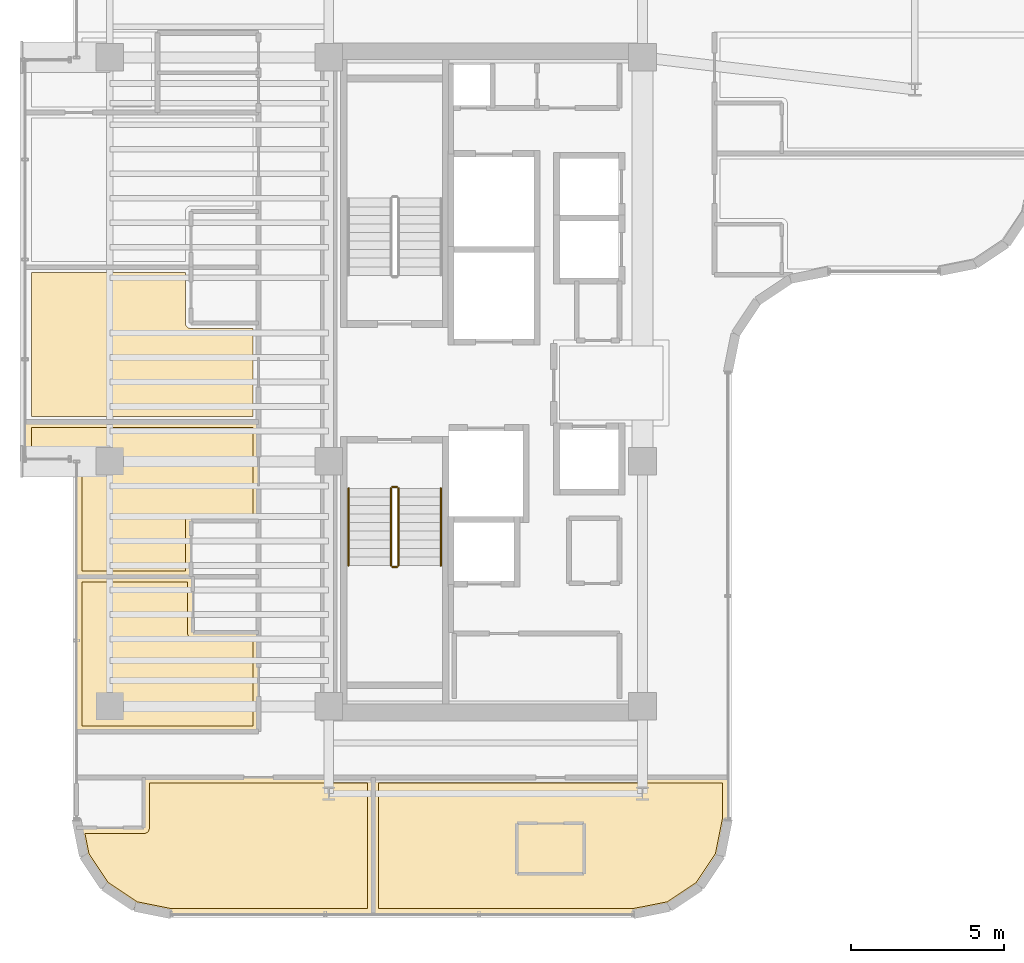
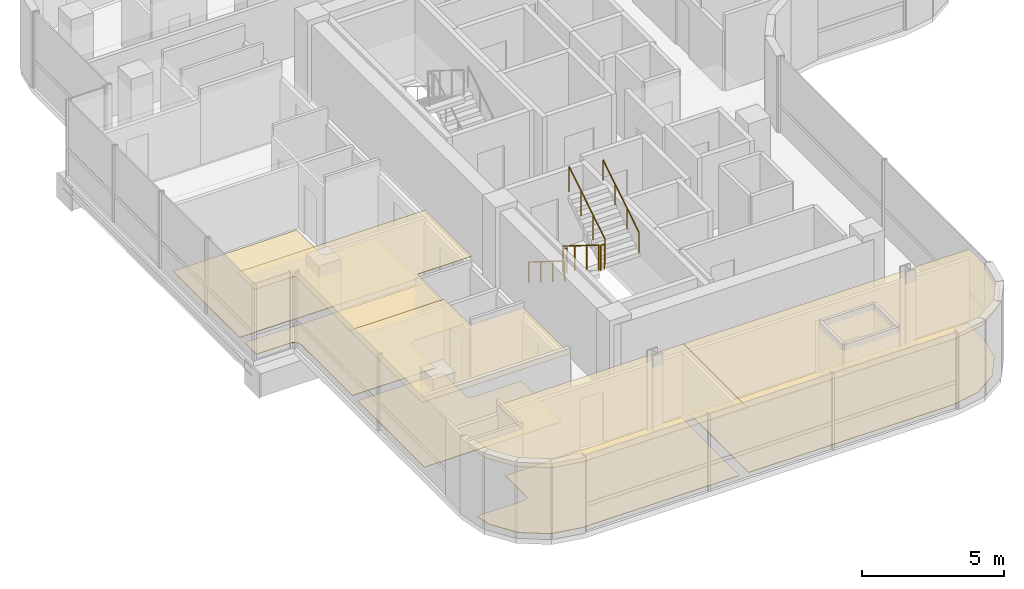
# One storey, part 20 of 22: 9 coverings, 6 railings.
"""IFC4 building model written with IfcOpenShell, lengths in metres."""

from ifc_helpers import new_model, si_unit, direction, frame, origin, origin_2d, place, context, subcontext, project, spatial, polyline, circle, outline, extrude, material, layer, layer_set, type_object, element, save


model = new_model("IFC4")

# Units and contexts
model_context = context("Model", 3, precision=1e-05, world=origin(), true_north=direction((0.0, 1.0)))
body_context = subcontext(model_context, "Body", "Model", "MODEL_VIEW")
ifc_project = project(units=[si_unit("LENGTHUNIT", "METRE"), si_unit("AREAUNIT", "SQUARE_METRE"), si_unit("VOLUMEUNIT", "CUBIC_METRE"), si_unit("PLANEANGLEUNIT", "RADIAN"), si_unit("MASSUNIT", "GRAM", prefix="KILO")], contexts=[model_context])

# Site, building, storey
site_placement = place(None, origin())
site = spatial("IfcSite", under=ifc_project, at=site_placement, CompositionType="ELEMENT")
building_placement = place(site_placement, origin())
building = spatial("IfcBuilding", under=site, at=building_placement, Name="Valdorenza Pilgrim Sanctuary Tower", CompositionType="ELEMENT")
storey_placement = place(building_placement, frame((0.0, 0.0, 212.5)))
storey = spatial("IfcBuildingStorey", under=building, at=storey_placement, Name="L54", CompositionType="ELEMENT", Elevation=212.5)

# Coverings
ifc_material_1 = material(Name="Micro-perforated acoustic mineral ceiling tile", Category="gypsum")
ifc_layer_1 = layer(ifc_material_1, 0.02490234375, Name="Micro-perforated acoustic mineral ceiling tile")
ifc_layer_set_1 = layer_set([ifc_layer_1], Name="Micro-perforated acoustic mineral ceiling tile")
covering_type_1 = type_object("IfcCoveringType", Name="COV-CLG-ACU", PredefinedType="CEILING", material=ifc_layer_set_1)
covering_1_placement = place(storey_placement, frame((0.0, 0.0, 2.9599609375)))
element("IfcCovering", 1, at=covering_1_placement, inside=storey, type_object=covering_type_1, Name="L54 Pilgrim Guest Room L54-W1 Acoustic Ceiling", PredefinedType="CEILING", context=body_context, shape_type="SweptSolid", body=[
    extrude(outline(polyline([(-30.905029296875, -6.364990234375), (-30.90478515625, -6.363525390625), (-30.90478515625, -6.362060546875), (-30.904296875, -6.360595703125), (-30.90380859375, -6.359375), (-30.9033203125, -6.35791015625), (-30.902587890625, -6.356689453125), (-30.901611328125, -6.35546875), (-30.900634765625, -6.3544921875), (-30.8994140625, -6.353515625), (-30.898193359375, -6.3525390625), (-30.897216796875, -6.351806640625), (-30.895751953125, -6.35107421875), (-30.894287109375, -6.3505859375), (-30.892822265625, -6.350341796875), (-30.8916015625, -6.35009765625), (-30.889892578125, -6.35009765625), (-27.090087890625, -6.35009765625), (-27.08837890625, -6.35009765625), (-27.087158203125, -6.350341796875), (-27.085693359375, -6.3505859375), (-27.084228515625, -6.35107421875), (-27.0830078125, -6.351806640625), (-27.081787109375, -6.3525390625), (-27.08056640625, -6.353515625), (-27.079345703125, -6.3544921875), (-27.078369140625, -6.35546875), (-27.077392578125, -6.356689453125), (-27.076904296875, -6.35791015625), (-27.076171875, -6.359375), (-27.07568359375, -6.360595703125), (-27.0751953125, -6.362060546875), (-27.0751953125, -6.363525390625), (-27.074951171875, -6.364990234375), (-27.074951171875, -8.172119140625), (-24.949951171875, -8.172119140625), (-24.948486328125, -8.172119140625), (-24.947021484375, -8.17236328125), (-24.945556640625, -8.172607421875), (-24.9443359375, -8.173095703125), (-24.94287109375, -8.173828125), (-24.941650390625, -8.174560546875), (-24.9404296875, -8.17529296875), (-24.939453125, -8.176513671875), (-24.9384765625, -8.177490234375), (-24.9375, -8.1787109375), (-24.936767578125, -8.179931640625), (-24.93603515625, -8.181396484375), (-24.935546875, -8.1826171875), (-24.935302734375, -8.18408203125), (-24.93505859375, -8.185546875), (-24.93505859375, -8.18701171875), (-24.93505859375, -11.419921875), (-24.93505859375, -11.42138671875), (-24.935302734375, -11.4228515625), (-24.935546875, -11.42431640625), (-24.93603515625, -11.42578125), (-24.936767578125, -11.427001953125), (-24.9375, -11.42822265625), (-24.9384765625, -11.429443359375), (-24.939453125, -11.4306640625), (-24.9404296875, -11.431640625), (-24.941650390625, -11.4326171875), (-24.94287109375, -11.43310546875), (-24.9443359375, -11.433837890625), (-24.945556640625, -11.434326171875), (-24.947021484375, -11.434814453125), (-24.948486328125, -11.434814453125), (-24.949951171875, -11.43505859375), (-30.889892578125, -11.43505859375), (-30.8916015625, -11.434814453125), (-30.892822265625, -11.434814453125), (-30.894287109375, -11.434326171875), (-30.895751953125, -11.433837890625), (-30.897216796875, -11.43310546875), (-30.898193359375, -11.4326171875), (-30.8994140625, -11.431640625), (-30.900634765625, -11.4306640625), (-30.901611328125, -11.429443359375), (-30.902587890625, -11.42822265625), (-30.9033203125, -11.427001953125), (-30.90380859375, -11.42578125), (-30.904296875, -11.42431640625), (-30.90478515625, -11.4228515625), (-30.90478515625, -11.42138671875), (-30.905029296875, -11.419921875), (-30.905029296875, -6.364990234375)])), origin(), (0.0, 0.0, 1.0), 0.025146484375),
])
covering_2_placement = place(storey_placement, frame((0.0, 0.0, 2.9599609375)))
element("IfcCovering", 2, at=covering_2_placement, inside=storey, type_object=covering_type_1, Name="L54 Pilgrim Guest Room L54-W2 Acoustic Ceiling", PredefinedType="CEILING", context=body_context, shape_type="SweptSolid", body=[
    extrude(outline(polyline([(-27.136962890625, -4.55810546875), (-27.136962890625, -6.363037109375), (-27.13720703125, -6.364501953125), (-27.13720703125, -6.365966796875), (-27.1376953125, -6.367431640625), (-27.13818359375, -6.36865234375), (-27.138916015625, -6.3701171875), (-27.139404296875, -6.371337890625), (-27.140380859375, -6.37255859375), (-27.141357421875, -6.37353515625), (-27.142578125, -6.37451171875), (-27.143798828125, -6.37548828125), (-27.14501953125, -6.376220703125), (-27.146240234375, -6.376953125), (-27.147705078125, -6.37744140625), (-27.149169921875, -6.377685546875), (-27.150390625, -6.3779296875), (-27.152099609375, -6.3779296875), (-30.889892578125, -6.3779296875), (-30.8916015625, -6.3779296875), (-30.892822265625, -6.377685546875), (-30.894287109375, -6.37744140625), (-30.895751953125, -6.376953125), (-30.897216796875, -6.376220703125), (-30.898193359375, -6.37548828125), (-30.8994140625, -6.37451171875), (-30.900634765625, -6.37353515625), (-30.901611328125, -6.37255859375), (-30.902587890625, -6.371337890625), (-30.9033203125, -6.3701171875), (-30.90380859375, -6.36865234375), (-30.904296875, -6.367431640625), (-30.90478515625, -6.365966796875), (-30.90478515625, -6.364501953125), (-30.905029296875, -6.363037109375), (-30.905029296875, -2.600341796875), (-30.905517578125, -2.5908203125), (-30.90673828125, -2.58154296875), (-30.9091796875, -2.572509765625), (-30.912109375, -2.563720703125), (-30.916259765625, -2.55517578125), (-30.9208984375, -2.547119140625), (-30.926513671875, -2.539794921875), (-30.932861328125, -2.53271484375), (-30.939697265625, -2.526611328125), (-30.947265625, -2.52099609375), (-30.955078125, -2.51611328125), (-30.963623046875, -2.51220703125), (-30.972412109375, -2.509033203125), (-30.9814453125, -2.5068359375), (-30.99072265625, -2.505615234375), (-31.00048828125, -2.5048828125), (-32.5400390625, -2.5048828125), (-32.54150390625, -2.5048828125), (-32.54296875, -2.504638671875), (-32.54443359375, -2.50439453125), (-32.545654296875, -2.50390625), (-32.547119140625, -2.503173828125), (-32.54833984375, -2.50244140625), (-32.549560546875, -2.501708984375), (-32.550537109375, -2.50048828125), (-32.551513671875, -2.49951171875), (-32.552490234375, -2.498291015625), (-32.55322265625, -2.4970703125), (-32.553955078125, -2.49560546875), (-32.554443359375, -2.494384765625), (-32.5546875, -2.492919921875), (-32.554931640625, -2.491455078125), (-32.554931640625, -2.489990234375), (-32.554931640625, -1.31005859375), (-32.554931640625, -1.30859375), (-32.5546875, -1.30712890625), (-32.554443359375, -1.3056640625), (-32.553955078125, -1.30419921875), (-32.55322265625, -1.302978515625), (-32.552490234375, -1.3017578125), (-32.551513671875, -1.300537109375), (-32.550537109375, -1.29931640625), (-32.549560546875, -1.29833984375), (-32.54833984375, -1.297607421875), (-32.547119140625, -1.296875), (-32.545654296875, -1.296142578125), (-32.54443359375, -1.295654296875), (-32.54296875, -1.29541015625), (-32.54150390625, -1.295166015625), (-32.5400390625, -1.294921875), (-24.949951171875, -1.294921875), (-24.948486328125, -1.295166015625), (-24.947021484375, -1.29541015625), (-24.945556640625, -1.295654296875), (-24.9443359375, -1.296142578125), (-24.94287109375, -1.296875), (-24.941650390625, -1.297607421875), (-24.9404296875, -1.29833984375), (-24.939453125, -1.29931640625), (-24.9384765625, -1.300537109375), (-24.9375, -1.3017578125), (-24.936767578125, -1.302978515625), (-24.93603515625, -1.30419921875), (-24.935546875, -1.3056640625), (-24.935302734375, -1.30712890625), (-24.93505859375, -1.30859375), (-24.93505859375, -1.31005859375), (-24.93505859375, -4.54296875), (-24.93505859375, -4.54443359375), (-24.935302734375, -4.5458984375), (-24.935546875, -4.54736328125), (-24.93603515625, -4.548583984375), (-24.936767578125, -4.550048828125), (-24.9375, -4.55126953125), (-24.9384765625, -4.552490234375), (-24.939453125, -4.5537109375), (-24.9404296875, -4.5546875), (-24.941650390625, -4.555419921875), (-24.94287109375, -4.55615234375), (-24.9443359375, -4.556884765625), (-24.945556640625, -4.557373046875), (-24.947021484375, -4.5576171875), (-24.948486328125, -4.557861328125), (-24.949951171875, -4.55810546875), (-27.136962890625, -4.55810546875)])), origin(), (0.0, 0.0, 1.0), 0.025146484375),
])
covering_3_placement = place(storey_placement, frame((0.0, 0.0, 2.9599609375)))
element("IfcCovering", 3, at=covering_3_placement, inside=storey, type_object=covering_type_1, Name="L54 South Guest Room L54-S1 Acoustic Ceiling", PredefinedType="CEILING", context=body_context, shape_type="SweptSolid", body=[
    extrude(outline(polyline([(-28.702880859375, -14.556884765625), (-28.702880859375, -12.919921875), (-28.702880859375, -12.91845703125), (-28.70263671875, -12.9169921875), (-28.702392578125, -12.91552734375), (-28.701904296875, -12.914306640625), (-28.701171875, -12.912841796875), (-28.700439453125, -12.91162109375), (-28.69970703125, -12.910400390625), (-28.698486328125, -12.909423828125), (-28.697509765625, -12.908447265625), (-28.6962890625, -12.907470703125), (-28.695068359375, -12.90673828125), (-28.693603515625, -12.906005859375), (-28.6923828125, -12.905517578125), (-28.69091796875, -12.9052734375), (-28.689453125, -12.905029296875), (-28.68798828125, -12.905029296875), (-21.199951171875, -12.905029296875), (-21.198486328125, -12.905029296875), (-21.197021484375, -12.9052734375), (-21.195556640625, -12.905517578125), (-21.1943359375, -12.906005859375), (-21.19287109375, -12.90673828125), (-21.191650390625, -12.907470703125), (-21.1904296875, -12.908447265625), (-21.189453125, -12.909423828125), (-21.1884765625, -12.910400390625), (-21.1875, -12.91162109375), (-21.186767578125, -12.912841796875), (-21.18603515625, -12.914306640625), (-21.185546875, -12.91552734375), (-21.185302734375, -12.9169921875), (-21.18505859375, -12.91845703125), (-21.18505859375, -12.919921875), (-21.18505859375, -17.389892578125), (-21.18505859375, -17.3916015625), (-21.185302734375, -17.392822265625), (-21.185546875, -17.394287109375), (-21.18603515625, -17.395751953125), (-21.186767578125, -17.397216796875), (-21.1875, -17.398193359375), (-21.1884765625, -17.3994140625), (-21.189453125, -17.400634765625), (-21.1904296875, -17.401611328125), (-21.191650390625, -17.402587890625), (-21.19287109375, -17.4033203125), (-21.1943359375, -17.40380859375), (-21.195556640625, -17.404296875), (-21.197021484375, -17.40478515625), (-21.198486328125, -17.40478515625), (-21.199951171875, -17.405029296875), (-27.789306640625, -17.405029296875), (-27.79052734375, -17.40478515625), (-27.7919921875, -17.40478515625), (-28.984619140625, -17.16748046875), (-28.986083984375, -17.1669921875), (-28.9873046875, -17.16650390625), (-28.98876953125, -17.166015625), (-28.989990234375, -17.165283203125), (-29.99169921875, -16.495849609375), (-29.992919921875, -16.4951171875), (-29.993896484375, -16.493896484375), (-29.9951171875, -16.492919921875), (-29.995849609375, -16.49169921875), (-30.665283203125, -15.489990234375), (-30.666015625, -15.48876953125), (-30.66650390625, -15.4873046875), (-30.6669921875, -15.486083984375), (-30.66748046875, -15.484619140625), (-30.848388671875, -14.574951171875), (-30.8486328125, -14.573486328125), (-30.8486328125, -14.572021484375), (-30.8486328125, -14.570556640625), (-30.848388671875, -14.569091796875), (-30.84814453125, -14.567626953125), (-30.84765625, -14.56640625), (-30.846923828125, -14.56494140625), (-30.84619140625, -14.563720703125), (-30.84521484375, -14.5625), (-30.84423828125, -14.561279296875), (-30.84326171875, -14.560302734375), (-30.842041015625, -14.5595703125), (-30.8408203125, -14.558837890625), (-30.839599609375, -14.55810546875), (-30.838134765625, -14.5576171875), (-30.836669921875, -14.557373046875), (-30.835205078125, -14.55712890625), (-30.833740234375, -14.556884765625), (-28.702880859375, -14.556884765625)])), origin(), (0.0, 0.0, 1.0), 0.025146484375),
])
covering_4_placement = place(storey_placement, frame((0.0, 0.0, 2.9599609375)))
element("IfcCovering", 4, at=covering_4_placement, inside=storey, type_object=covering_type_1, Name="L54 South Guest Room L54-S2 Acoustic Ceiling", PredefinedType="CEILING", context=body_context, shape_type="SweptSolid", body=[
    extrude(outline(polyline([(-9.610107421875, -12.905029296875), (-9.6083984375, -12.905029296875), (-9.607177734375, -12.9052734375), (-9.605712890625, -12.905517578125), (-9.604248046875, -12.906005859375), (-9.602783203125, -12.90673828125), (-9.601806640625, -12.907470703125), (-9.6005859375, -12.908447265625), (-9.599365234375, -12.909423828125), (-9.598388671875, -12.910400390625), (-9.597412109375, -12.91162109375), (-9.5966796875, -12.912841796875), (-9.59619140625, -12.914306640625), (-9.595703125, -12.91552734375), (-9.59521484375, -12.9169921875), (-9.59521484375, -12.91845703125), (-9.594970703125, -12.919921875), (-9.594970703125, -14.289306640625), (-9.59521484375, -14.29052734375), (-9.59521484375, -14.2919921875), (-9.83251953125, -15.484619140625), (-9.8330078125, -15.486083984375), (-9.83349609375, -15.4873046875), (-9.833984375, -15.48876953125), (-9.834716796875, -15.489990234375), (-10.504150390625, -16.49169921875), (-10.5048828125, -16.492919921875), (-10.506103515625, -16.493896484375), (-10.507080078125, -16.4951171875), (-10.50830078125, -16.495849609375), (-11.510009765625, -17.165283203125), (-11.51123046875, -17.166015625), (-11.5126953125, -17.16650390625), (-11.513916015625, -17.1669921875), (-11.515380859375, -17.16748046875), (-12.7080078125, -17.40478515625), (-12.70947265625, -17.40478515625), (-12.710693359375, -17.405029296875), (-21.197998046875, -17.405029296875), (-21.199462890625, -17.40478515625), (-21.200927734375, -17.40478515625), (-21.202392578125, -17.404296875), (-21.20361328125, -17.40380859375), (-21.205078125, -17.4033203125), (-21.206298828125, -17.402587890625), (-21.20751953125, -17.401611328125), (-21.20849609375, -17.400634765625), (-21.209716796875, -17.3994140625), (-21.21044921875, -17.398193359375), (-21.211181640625, -17.397216796875), (-21.2119140625, -17.395751953125), (-21.21240234375, -17.394287109375), (-21.212646484375, -17.392822265625), (-21.212890625, -17.3916015625), (-21.212890625, -17.389892578125), (-21.212890625, -12.919921875), (-21.212890625, -12.91845703125), (-21.212646484375, -12.9169921875), (-21.21240234375, -12.91552734375), (-21.2119140625, -12.914306640625), (-21.211181640625, -12.912841796875), (-21.21044921875, -12.91162109375), (-21.209716796875, -12.910400390625), (-21.20849609375, -12.909423828125), (-21.20751953125, -12.908447265625), (-21.206298828125, -12.907470703125), (-21.205078125, -12.90673828125), (-21.20361328125, -12.906005859375), (-21.202392578125, -12.905517578125), (-21.200927734375, -12.9052734375), (-21.199462890625, -12.905029296875), (-21.197998046875, -12.905029296875), (-9.610107421875, -12.905029296875)])), origin(), (0.0, 0.0, 1.0), 0.025146484375),
])
ifc_material_2 = material(Name="Engineered European oak timber flooring", Category="wood")
ifc_layer_2 = layer(ifc_material_2, 0.02197265625, Name="Engineered European oak timber flooring")
ifc_layer_set_2 = layer_set([ifc_layer_2], Name="Engineered European oak timber flooring")
covering_type_2 = type_object("IfcCoveringType", Name="COV-FLR-OAK", PredefinedType="FLOORING", material=ifc_layer_set_2)
covering_5_placement = place(storey_placement, origin())
element("IfcCovering", 5, at=covering_5_placement, inside=storey, type_object=covering_type_2, Name="L54 Pilgrim Guest Room L54-W1 Flooring", PredefinedType="FLOORING", context=body_context, shape_type="SweptSolid", body=[
    extrude(outline(polyline([(-30.7099609375, -6.544921875), (-27.27001953125, -6.544921875), (-27.27001953125, -8.18505859375), (-27.269775390625, -8.19384765625), (-27.269775390625, -8.194091796875), (-27.26806640625, -8.211669921875), (-27.26806640625, -8.2119140625), (-27.2646484375, -8.22900390625), (-27.264404296875, -8.229248046875), (-27.259521484375, -8.24609375), (-27.25927734375, -8.246337890625), (-27.252685546875, -8.2626953125), (-27.25244140625, -8.262939453125), (-27.244140625, -8.278564453125), (-27.244140625, -8.278564453125), (-27.234130859375, -8.293212890625), (-27.234130859375, -8.29345703125), (-27.222900390625, -8.30712890625), (-27.222900390625, -8.307373046875), (-27.210205078125, -8.31982421875), (-27.210205078125, -8.31982421875), (-27.196533203125, -8.3310546875), (-27.1962890625, -8.331298828125), (-27.181640625, -8.341064453125), (-27.181396484375, -8.34130859375), (-27.166015625, -8.349609375), (-27.165771484375, -8.349609375), (-27.1494140625, -8.356201171875), (-27.149169921875, -8.3564453125), (-27.13232421875, -8.361572265625), (-27.132080078125, -8.361572265625), (-27.11474609375, -8.364990234375), (-27.114501953125, -8.364990234375), (-27.096923828125, -8.36669921875), (-27.0966796875, -8.36669921875), (-27.087890625, -8.366943359375), (-25.1298828125, -8.366943359375), (-25.1298828125, -11.239990234375), (-30.7099609375, -11.239990234375), (-30.7099609375, -6.544921875)])), origin(), (0.0, 0.0, 1.0), 0.02490234375),
])
covering_6_placement = place(storey_placement, origin())
element("IfcCovering", 6, at=covering_6_placement, inside=storey, type_object=covering_type_2, Name="L54 Pilgrim Guest Room L54-W2 Flooring", PredefinedType="FLOORING", context=body_context, shape_type="SweptSolid", body=[
    extrude(outline(polyline([(-25.1298828125, -1.489990234375), (-25.1298828125, -4.363037109375), (-27.14990234375, -4.363037109375), (-27.15869140625, -4.36328125), (-27.158935546875, -4.36328125), (-27.176513671875, -4.364990234375), (-27.1767578125, -4.364990234375), (-27.194091796875, -4.368408203125), (-27.1943359375, -4.368408203125), (-27.211181640625, -4.37353515625), (-27.21142578125, -4.373779296875), (-27.227783203125, -4.38037109375), (-27.227783203125, -4.380615234375), (-27.243408203125, -4.388916015625), (-27.24365234375, -4.388916015625), (-27.25830078125, -4.398681640625), (-27.258544921875, -4.39892578125), (-27.272216796875, -4.41015625), (-27.272216796875, -4.41015625), (-27.284912109375, -4.422607421875), (-27.284912109375, -4.4228515625), (-27.296142578125, -4.4365234375), (-27.296142578125, -4.436767578125), (-27.30615234375, -4.451416015625), (-27.30615234375, -4.451416015625), (-27.314453125, -4.467041015625), (-27.314697265625, -4.46728515625), (-27.3212890625, -4.483642578125), (-27.3212890625, -4.48388671875), (-27.326416015625, -4.500732421875), (-27.32666015625, -4.5009765625), (-27.330078125, -4.518310546875), (-27.330078125, -4.518310546875), (-27.331787109375, -4.535888671875), (-27.331787109375, -4.5361328125), (-27.33203125, -4.544921875), (-27.33203125, -6.18310546875), (-30.7099609375, -6.18310546875), (-30.7099609375, -2.60009765625), (-30.710205078125, -2.59130859375), (-30.710693359375, -2.580322265625), (-30.71240234375, -2.562744140625), (-30.714111328125, -2.552001953125), (-30.717529296875, -2.534912109375), (-30.72021484375, -2.5244140625), (-30.725341796875, -2.50732421875), (-30.72900390625, -2.497314453125), (-30.735595703125, -2.48095703125), (-30.740234375, -2.47119140625), (-30.74853515625, -2.45556640625), (-30.754150390625, -2.4462890625), (-30.763916015625, -2.431640625), (-30.7705078125, -2.423095703125), (-30.781494140625, -2.4091796875), (-30.788818359375, -2.4013671875), (-30.80126953125, -2.388916015625), (-30.809326171875, -2.381591796875), (-30.822998046875, -2.370361328125), (-30.831787109375, -2.364013671875), (-30.84619140625, -2.35400390625), (-30.855712890625, -2.3486328125), (-30.87109375, -2.34033203125), (-30.880859375, -2.335693359375), (-30.897216796875, -2.328857421875), (-30.907470703125, -2.3251953125), (-30.92431640625, -2.320068359375), (-30.934814453125, -2.3173828125), (-30.9521484375, -2.314208984375), (-30.962890625, -2.3125), (-30.98046875, -2.310791015625), (-30.9912109375, -2.310302734375), (-31.0, -2.31005859375), (-32.360107421875, -2.31005859375), (-32.360107421875, -1.489990234375), (-25.1298828125, -1.489990234375)])), origin(), (0.0, 0.0, 1.0), 0.02490234375),
])
covering_7_placement = place(storey_placement, origin())
element("IfcCovering", 7, at=covering_7_placement, inside=storey, type_object=covering_type_2, Name="L54 Pilgrim Guest Room L54-W3 Flooring", PredefinedType="FLOORING", context=body_context, shape_type="SweptSolid", body=[
    extrude(outline(polyline([(-32.360107421875, 3.56494140625), (-27.33203125, 3.56494140625), (-27.33203125, 1.925048828125), (-27.331787109375, 1.916259765625), (-27.331787109375, 1.916015625), (-27.330078125, 1.8984375), (-27.330078125, 1.898193359375), (-27.32666015625, 1.880859375), (-27.326416015625, 1.880615234375), (-27.3212890625, 1.86376953125), (-27.3212890625, 1.863525390625), (-27.314697265625, 1.847412109375), (-27.314453125, 1.84716796875), (-27.30615234375, 1.83154296875), (-27.30615234375, 1.831298828125), (-27.296142578125, 1.816650390625), (-27.296142578125, 1.81640625), (-27.284912109375, 1.802978515625), (-27.284912109375, 1.802734375), (-27.272216796875, 1.790283203125), (-27.272216796875, 1.7900390625), (-27.258544921875, 1.77880859375), (-27.25830078125, 1.77880859375), (-27.24365234375, 1.768798828125), (-27.243408203125, 1.768798828125), (-27.227783203125, 1.760498046875), (-27.227783203125, 1.760498046875), (-27.21142578125, 1.753662109375), (-27.211181640625, 1.753662109375), (-27.1943359375, 1.74853515625), (-27.194091796875, 1.748291015625), (-27.1767578125, 1.7451171875), (-27.176513671875, 1.7451171875), (-27.158935546875, 1.7431640625), (-27.15869140625, 1.7431640625), (-27.14990234375, 1.742919921875), (-25.1298828125, 1.742919921875), (-25.1298828125, -1.1279296875), (-32.360107421875, -1.1279296875), (-32.360107421875, 3.56494140625)])), origin(), (0.0, 0.0, 1.0), 0.02490234375),
])
covering_8_placement = place(storey_placement, origin())
element("IfcCovering", 8, at=covering_8_placement, inside=storey, type_object=covering_type_2, Name="L54 South Guest Room L54-S1 Flooring", PredefinedType="FLOORING", context=body_context, shape_type="SweptSolid", body=[
    extrude(outline(polyline([(-27.771484375, -17.2099609375), (-28.911376953125, -16.983154296875), (-29.853515625, -16.353515625), (-30.483154296875, -15.411376953125), (-30.614501953125, -14.751953125), (-28.68994140625, -14.751953125), (-28.68115234375, -14.751708984375), (-28.680908203125, -14.751708984375), (-28.663330078125, -14.75), (-28.6630859375, -14.75), (-28.64599609375, -14.74658203125), (-28.645751953125, -14.74658203125), (-28.62890625, -14.741455078125), (-28.628662109375, -14.7412109375), (-28.6123046875, -14.734619140625), (-28.612060546875, -14.734619140625), (-28.596435546875, -14.726318359375), (-28.596435546875, -14.72607421875), (-28.581787109375, -14.71630859375), (-28.58154296875, -14.716064453125), (-28.56787109375, -14.704833984375), (-28.567626953125, -14.704833984375), (-28.55517578125, -14.6923828125), (-28.55517578125, -14.692138671875), (-28.5439453125, -14.678466796875), (-28.543701171875, -14.67822265625), (-28.533935546875, -14.66357421875), (-28.53369140625, -14.66357421875), (-28.525390625, -14.64794921875), (-28.525390625, -14.647705078125), (-28.518798828125, -14.63134765625), (-28.5185546875, -14.631103515625), (-28.513427734375, -14.6142578125), (-28.513427734375, -14.614013671875), (-28.510009765625, -14.5966796875), (-28.510009765625, -14.5966796875), (-28.50830078125, -14.5791015625), (-28.50830078125, -14.578857421875), (-28.508056640625, -14.570068359375), (-28.508056640625, -13.10009765625), (-21.3798828125, -13.10009765625), (-21.3798828125, -17.2099609375), (-27.771484375, -17.2099609375)])), origin(), (0.0, 0.0, 1.0), 0.02490234375),
])
covering_9_placement = place(storey_placement, origin())
element("IfcCovering", 9, at=covering_9_placement, inside=storey, type_object=covering_type_2, Name="L54 South Guest Room L54-S2 Flooring", PredefinedType="FLOORING", context=body_context, shape_type="SweptSolid", body=[
    extrude(outline(polyline([(-9.7900390625, -13.10009765625), (-9.7900390625, -14.271484375), (-10.016845703125, -15.411376953125), (-10.646484375, -16.353515625), (-11.588623046875, -16.983154296875), (-12.728515625, -17.2099609375), (-21.01806640625, -17.2099609375), (-21.01806640625, -13.10009765625), (-9.7900390625, -13.10009765625)])), origin(), (0.0, 0.0, 1.0), 0.02490234375),
])

# Railings
ifc_material_3 = material(Name="Stainless steel Grade 316", Category="steel")
railing_type_1 = type_object("IfcRailingType", Name="RLG-GRD-1120", PredefinedType="GUARDRAIL", material=ifc_material_3)
railing_1_placement = place(storey_placement, frame((-20.6201171875, -3.47998046875, 0.175048828125)))
element("IfcRailing", 10, at=railing_1_placement, inside=storey, type_object=railing_type_1, Name="L54 ST-A2 stair guard 1", PredefinedType="GUARDRAIL", context=body_context, shape_type="SweptSolid", body=[
    extrude(circle(Radius=0.02392578125, at=origin_2d()), frame((0.0, 0.0, 1.076171875), z_axis=(0.0, -0.848007534815, 0.529984170421), x_axis=(1.0, 0.0, 0.0)), (0.0, 0.0, 1.0), 2.9716796875),
    extrude(circle(Radius=0.02099609375, at=origin_2d()), origin(), (0.0, 0.0, 1.0), 1.052001953125),
    extrude(circle(Radius=0.02099609375, at=origin_2d()), frame((0.0, -0.840087890625, 0.52490234375)), (0.0, 0.0, 1.0), 1.052001953125),
    extrude(circle(Radius=0.02099609375, at=origin_2d()), frame((0.0, -1.679931640625, 1.050048828125)), (0.0, 0.0, 1.0), 1.052001953125),
    extrude(circle(Radius=0.02099609375, at=origin_2d()), frame((0.0, -2.52001953125, 1.574951171875)), (0.0, 0.0, 1.0), 1.052001953125),
])
railing_2_placement = place(storey_placement, frame((-20.570068359375, -6.050048828125, 1.75)))
element("IfcRailing", 11, at=railing_2_placement, inside=storey, type_object=railing_type_1, Name="L54 ST-A2 stair guard 2", PredefinedType="GUARDRAIL", context=body_context, shape_type="SweptSolid", body=[
    extrude(circle(Radius=0.02392578125, at=origin_2d()), frame((0.0, 0.0, 1.076171875), z_axis=(1.0, 0.0, 0.0), x_axis=(0.0, 1.0, 0.0)), (0.0, 0.0, 1.0), 0.150146484375),
    extrude(circle(Radius=0.02099609375, at=origin_2d()), origin(), (0.0, 0.0, 1.0), 1.052001953125),
    extrude(circle(Radius=0.02099609375, at=origin_2d()), frame((0.150146484375, 0.0, 0.0)), (0.0, 0.0, 1.0), 1.052001953125),
])
railing_3_placement = place(storey_placement, frame((-20.3701171875, -6.0, 1.925048828125)))
element("IfcRailing", 12, at=railing_3_placement, inside=storey, type_object=railing_type_1, Name="L54 ST-A2 stair guard 3", PredefinedType="GUARDRAIL", context=body_context, shape_type="SweptSolid", body=[
    extrude(circle(Radius=0.02392578125, at=origin_2d()), frame((0.0, 0.0, 1.076171875), z_axis=(0.0, 0.848007534815, 0.529984170421), x_axis=(-1.0, 0.0, 0.0)), (0.0, 0.0, 1.0), 2.9716796875),
    extrude(circle(Radius=0.02099609375, at=origin_2d()), origin(), (0.0, 0.0, 1.0), 1.052001953125),
    extrude(circle(Radius=0.02099609375, at=origin_2d()), frame((0.0, 0.840087890625, 0.52490234375)), (0.0, 0.0, 1.0), 1.052001953125),
    extrude(circle(Radius=0.02099609375, at=origin_2d()), frame((0.0, 1.679931640625, 1.050048828125)), (0.0, 0.0, 1.0), 1.052001953125),
    extrude(circle(Radius=0.02099609375, at=origin_2d()), frame((0.0, 2.52001953125, 1.574951171875)), (0.0, 0.0, 1.0), 1.052001953125),
])
railing_4_placement = place(storey_placement, frame((-20.570068359375, -3.429931640625, 0.0)))
element("IfcRailing", 13, at=railing_4_placement, inside=storey, type_object=railing_type_1, Name="L54 ST-A2 stair guard 4", PredefinedType="GUARDRAIL", context=body_context, shape_type="SweptSolid", body=[
    extrude(circle(Radius=0.02392578125, at=origin_2d()), frame((0.0, 0.0, 1.076171875), z_axis=(1.0, 0.0, 0.0), x_axis=(0.0, 1.0, 0.0)), (0.0, 0.0, 1.0), 0.150146484375),
    extrude(circle(Radius=0.02099609375, at=origin_2d()), origin(), (0.0, 0.0, 1.0), 1.052001953125),
    extrude(circle(Radius=0.02099609375, at=origin_2d()), frame((0.150146484375, 0.0, 0.0)), (0.0, 0.0, 1.0), 1.052001953125),
])
ifc_material_4 = material(Name="Brushed stainless steel Grade 316", Category="steel")
railing_type_2 = type_object("IfcRailingType", Name="RLG-HND-920", PredefinedType="HANDRAIL", material=ifc_material_4)
railing_5_placement = place(storey_placement, frame((-22.0, -3.47998046875, 0.175048828125)))
element("IfcRailing", 14, at=railing_5_placement, inside=storey, type_object=railing_type_2, Name="L54 ST-A2 stair handrail 1", PredefinedType="HANDRAIL", context=body_context, shape_type="SweptSolid", body=[
    extrude(circle(Radius=0.02392578125, at=origin_2d()), frame((0.0, 0.0, 0.8759765625), z_axis=(0.0, -0.848007534815, 0.529984170421), x_axis=(1.0, 0.0, 0.0)), (0.0, 0.0, 1.0), 2.9716796875),
    extrude(circle(Radius=0.02099609375, at=origin_2d()), origin(), (0.0, 0.0, 1.0), 0.851806640625),
    extrude(circle(Radius=0.02099609375, at=origin_2d()), frame((0.0, -0.840087890625, 0.52490234375)), (0.0, 0.0, 1.0), 0.851806640625),
    extrude(circle(Radius=0.02099609375, at=origin_2d()), frame((0.0, -1.679931640625, 1.050048828125)), (0.0, 0.0, 1.0), 0.851806640625),
    extrude(circle(Radius=0.02099609375, at=origin_2d()), frame((0.0, -2.52001953125, 1.574951171875)), (0.0, 0.0, 1.0), 0.851806640625),
])
railing_6_placement = place(storey_placement, frame((-18.989990234375, -6.0, 1.925048828125)))
element("IfcRailing", 15, at=railing_6_placement, inside=storey, type_object=railing_type_2, Name="L54 ST-A2 stair handrail 2", PredefinedType="HANDRAIL", context=body_context, shape_type="SweptSolid", body=[
    extrude(circle(Radius=0.02392578125, at=origin_2d()), frame((0.0, 0.0, 0.8759765625), z_axis=(0.0, 0.848007534815, 0.529984170421), x_axis=(-1.0, 0.0, 0.0)), (0.0, 0.0, 1.0), 2.9716796875),
    extrude(circle(Radius=0.02099609375, at=origin_2d()), origin(), (0.0, 0.0, 1.0), 0.851806640625),
    extrude(circle(Radius=0.02099609375, at=origin_2d()), frame((0.0, 0.840087890625, 0.52490234375)), (0.0, 0.0, 1.0), 0.851806640625),
    extrude(circle(Radius=0.02099609375, at=origin_2d()), frame((0.0, 1.679931640625, 1.050048828125)), (0.0, 0.0, 1.0), 0.851806640625),
    extrude(circle(Radius=0.02099609375, at=origin_2d()), frame((0.0, 2.52001953125, 1.574951171875)), (0.0, 0.0, 1.0), 0.851806640625),
])

save(model, "model.ifc")
